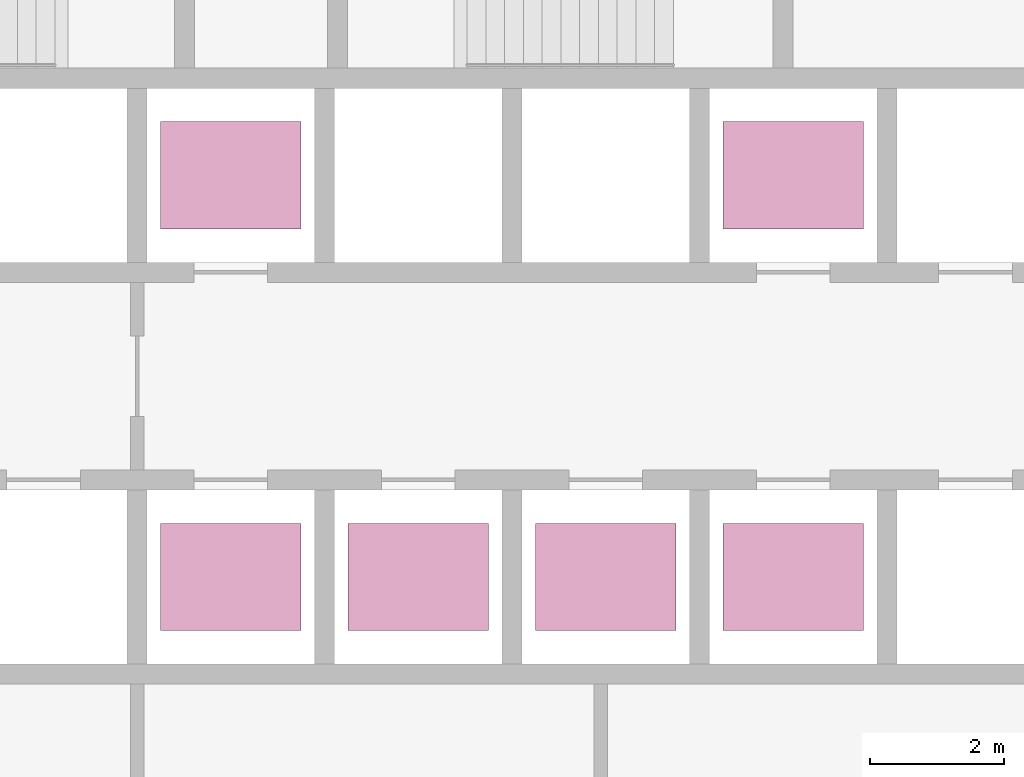
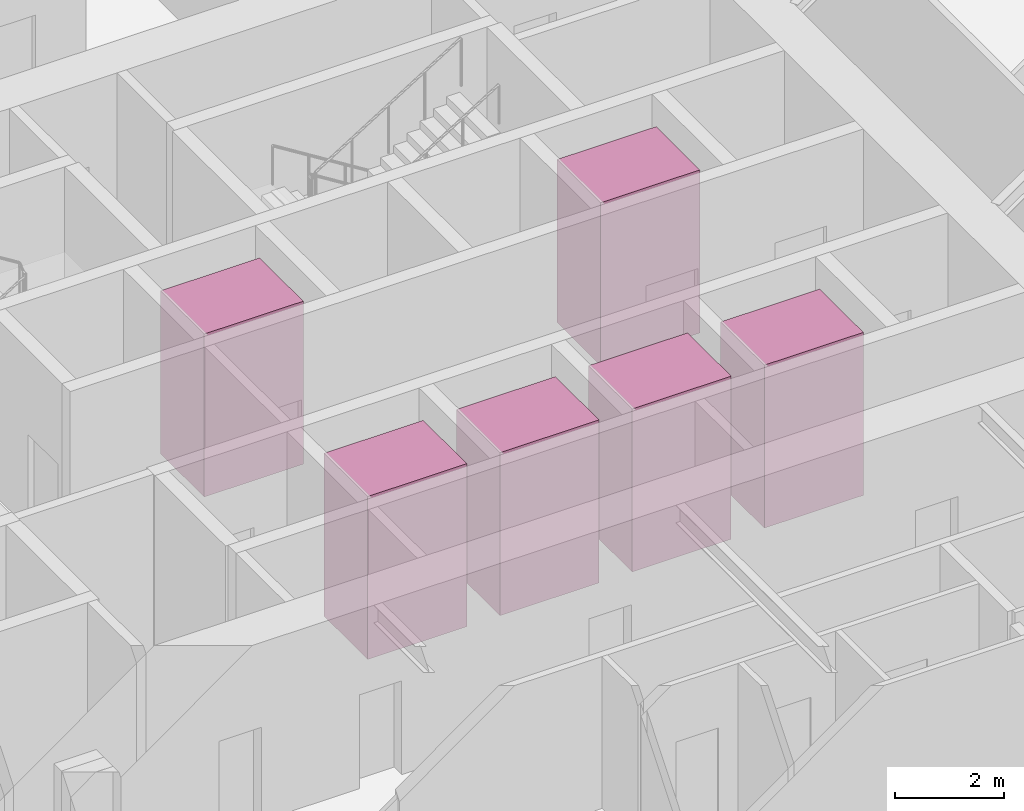
# One storey, part 29 of 29: 6 transport elements.
"""IFC4 building model written with IfcOpenShell, lengths in metres."""

from ifc_helpers import new_model, si_unit, direction, frame, origin, origin_2d, place, context, subcontext, project, spatial, rectangle, extrude, material, type_object, element, save


model = new_model("IFC4")

# Units and contexts
model_context = context("Model", 3, precision=1e-05, world=origin(), true_north=direction((0.0, 1.0)))
body_context = subcontext(model_context, "Body", "Model", "MODEL_VIEW")
ifc_project = project(units=[si_unit("LENGTHUNIT", "METRE"), si_unit("AREAUNIT", "SQUARE_METRE"), si_unit("VOLUMEUNIT", "CUBIC_METRE"), si_unit("PLANEANGLEUNIT", "RADIAN"), si_unit("MASSUNIT", "GRAM", prefix="KILO")], contexts=[model_context])

# Site, building, storey
site_placement = place(None, origin())
site = spatial("IfcSite", under=ifc_project, at=site_placement, CompositionType="ELEMENT")
building_placement = place(site_placement, origin())
building = spatial("IfcBuilding", under=site, at=building_placement, Name="Firuza Gate Tower and Library", CompositionType="ELEMENT")
storey_placement = place(building_placement, frame((0.0, 0.0, 44.199951171875)))
storey = spatial("IfcBuildingStorey", under=building, at=storey_placement, Name="L09", CompositionType="ELEMENT", Elevation=44.199951171875)

# Transport elements
ifc_material = material(Name="Stainless steel and glass", Category="steel")
transport_element_type = type_object("IfcTransportElementType", Name="Low-rise lift car 2100x1600", PredefinedType="ELEVATOR", material=ifc_material)
for number, where, z_axis, x_axis, name in (
    (1, (74.64990234375, 70.300048828125, 0.0), (0.0, 0.0, 1.0), (1.0, 0.0, 0.0), "Low-rise lift LR1"),
    (2, (77.449951171875, 70.300048828125, 0.0), (0.0, 0.0, 1.0), (1.0, 0.0, 0.0), "Low-rise lift LR2"),
    (3, (80.25, 70.300048828125, 0.0), (0.0, 0.0, 1.0), (1.0, 0.0, 0.0), "Low-rise lift LR3"),
    (4, (74.64990234375, 76.300048828125, 0.0), (0.0, 0.0, 1.0), (1.0, 0.0, 0.0), "Low-rise lift LR4"),
    (5, (83.050048828125, 70.300048828125, 0.0), (0.0, 0.0, 1.0), (1.0, 0.0, 0.0), "Low-rise lift LR5"),
    (6, (83.050048828125, 76.300048828125, 0.0), (0.0, 0.0, 1.0), (1.0, 0.0, 0.0), "Low-rise lift LR6"),
):
    element("IfcTransportElement", number, at=place(storey_placement, frame(where, z_axis=z_axis, x_axis=x_axis)), inside=storey, type_object=transport_element_type, Name=name, PredefinedType="ELEVATOR", context=body_context, shape_type="SweptSolid", body=[
        extrude(rectangle(XDim=2.10009765625, YDim=1.60009765625, at=origin_2d()), origin(), (0.0, 0.0, 1.0), 3.64990234375),
    ])

save(model, "model.ifc")
